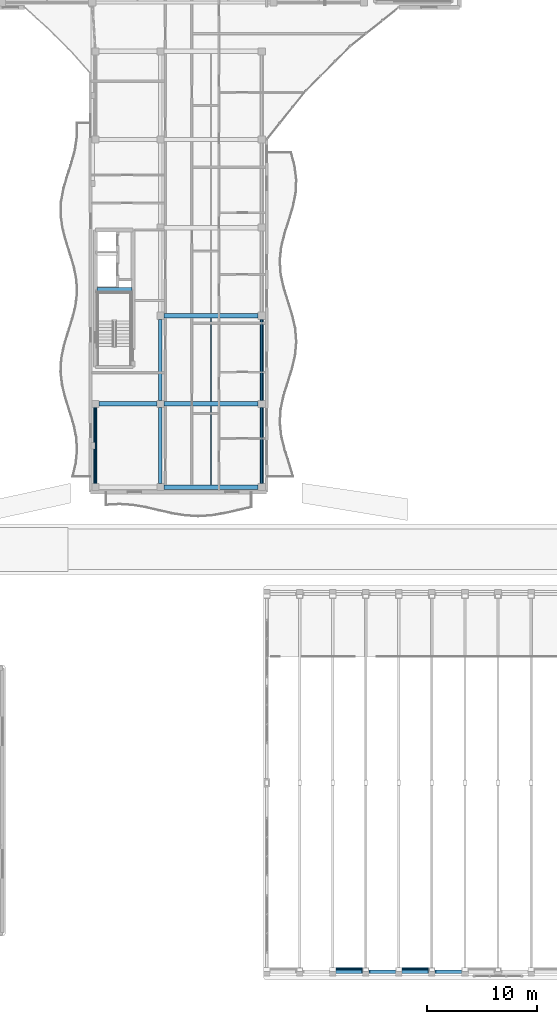
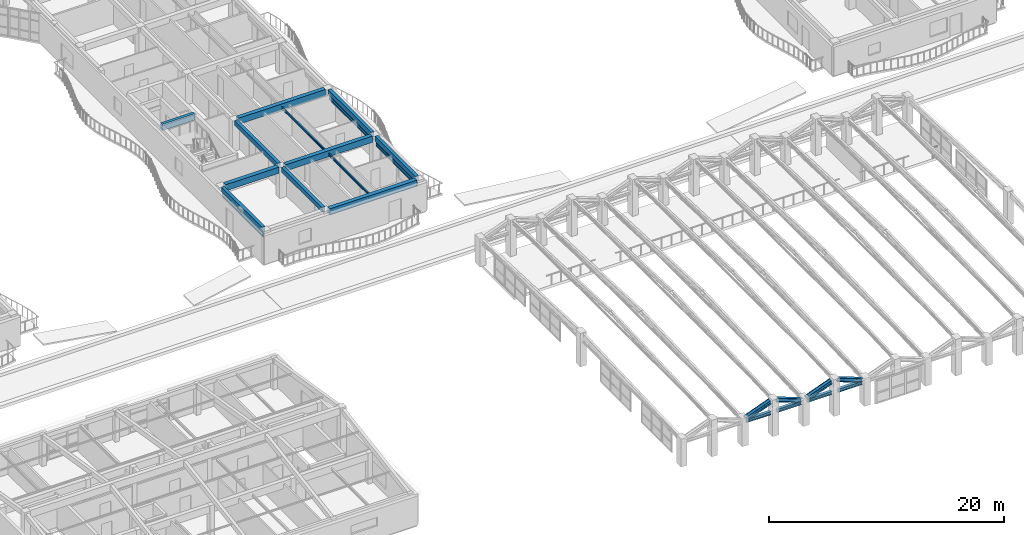
# One storey, part 22 of 128: 20 beams, 8 members.
"""IFC4 building model written with IfcOpenShell, lengths in metres."""

import ifcopenshell
import ifcopenshell.guid

model = None  # the IFC model being written
_history = None  # IfcOwnerHistory: only IFC2X3 demands one
_inside = {}  # id of a spatial element -> (the spatial element, [elements in it])
_under = {}  # id of a project, library or spatial element -> (it, [spatial elements below it])
_declared = {}  # id of a project -> (the project, [libraries it declares])
_typed = {}  # id of a type object -> (the type object, [elements of that type])
_made_of = {}  # id of a material, layer set ... -> (it, [elements and type objects made of it])


def new_model(schema):
    """Start an empty IFC model of exactly this schema.

    Asked for "IFC4X3", IfcOpenShell would pick the latest addendum, in which some entities
    have other attributes; the version numbers below select the first issue.
    IFC2X3 requires an IfcOwnerHistory on every rooted entity: one is made here for all.
    """
    global model, _history
    if schema == "IFC4X3":
        model = ifcopenshell.file(schema_version=(4, 3, 0, 0))
    else:
        model = ifcopenshell.file(schema=schema)
    _inside.clear()
    _under.clear()
    _declared.clear()
    _typed.clear()
    _made_of.clear()
    _history = None
    if model.schema == "IFC2X3":
        org = make("IfcOrganization", Name="unknown")
        user = make(
            "IfcPersonAndOrganization",
            ThePerson=make("IfcPerson", FamilyName="unknown"),
            TheOrganization=org,
        )
        app = make(
            "IfcApplication",
            ApplicationDeveloper=org,
            Version="unknown",
            ApplicationFullName="unknown",
            ApplicationIdentifier="unknown",
        )
        _history = make(
            "IfcOwnerHistory",
            OwningUser=user,
            OwningApplication=app,
            ChangeAction="ADDED",
            CreationDate=0,
        )
    return model


def make(cls, **values):
    """One entity of the class cls with the attributes given. An attribute that is None is left unset."""
    return model.create_entity(
        cls, **{name: value for name, value in values.items() if value is not None}
    )


def rooted(cls, **values):
    """An entity with a GlobalId (a new one), such as an element, a storey or a relation."""
    return make(cls, GlobalId=ifcopenshell.guid.new(), OwnerHistory=_history, **values)


def si_unit(unit_type, name, prefix=None):
    """IfcSIUnit, for example si_unit("LENGTHUNIT", "METRE", prefix="MILLI")."""
    return make("IfcSIUnit", UnitType=unit_type, Prefix=prefix, Name=name)


def assignment(units):
    """IfcUnitAssignment: the units of a project."""
    return None if units is None else make("IfcUnitAssignment", Units=units)


def point(xyz):
    """IfcCartesianPoint."""
    return None if xyz is None else make("IfcCartesianPoint", Coordinates=xyz)


def direction(xyz):
    """IfcDirection."""
    return None if xyz is None else make("IfcDirection", DirectionRatios=xyz)


def frame(location, z_axis=None, x_axis=None):
    """IfcAxis2Placement3D, a coordinate frame: its origin and axes. An axis left out is left unset."""
    return make(
        "IfcAxis2Placement3D",
        Location=point(location),
        Axis=direction(z_axis),
        RefDirection=direction(x_axis),
    )


def frame_2d(location, x_axis=None):
    """IfcAxis2Placement2D, a coordinate frame in the plane: its origin and x axis."""
    return make(
        "IfcAxis2Placement2D", Location=point(location), RefDirection=direction(x_axis)
    )


def origin():
    """The frame at (0, 0, 0) with its axes left unset."""
    return frame((0.0, 0.0, 0.0))


def origin_2d():
    """The frame at (0, 0) in the plane with its x axis left unset."""
    return frame_2d((0.0, 0.0))


def place(relative_to, where):
    """IfcLocalPlacement: puts the frame where relative to a parent placement (None: the world)."""
    return make(
        "IfcLocalPlacement", PlacementRelTo=relative_to, RelativePlacement=where
    )


def context(
    kind, dimensions, precision=None, world=None, true_north=None, identifier=None
):
    """IfcGeometricRepresentationContext, for example the 3D "Model" context."""
    return make(
        "IfcGeometricRepresentationContext",
        ContextIdentifier=identifier,
        ContextType=kind,
        CoordinateSpaceDimension=dimensions,
        Precision=precision,
        WorldCoordinateSystem=world,
        TrueNorth=true_north,
    )


def subcontext(parent, identifier, kind, view, scale=None):
    """IfcGeometricRepresentationSubContext, for example "Body" below "Model"."""
    return make(
        "IfcGeometricRepresentationSubContext",
        ContextIdentifier=identifier,
        ContextType=kind,
        ParentContext=parent,
        TargetScale=scale,
        TargetView=view,
    )


def project(units=None, contexts=None):
    """IfcProject with its units and contexts."""
    return rooted(
        "IfcProject",
        Name="project",
        RepresentationContexts=contexts,
        UnitsInContext=assignment(units),
    )


def spatial(cls, under=None, at=None, **own):
    """A site, building, storey or space (cls), placed at a placement, below another one or the project."""
    s = rooted(cls, ObjectPlacement=at, **own)
    if under is not None:
        _under.setdefault(under.id(), (under, []))[1].append(s)
    return s


def profile(cls, at=None, kind="AREA", **sizes):
    """A parametric profile (cls). Its sizes go by their IFC names, for example OverallWidth=200.0."""
    return make(cls, ProfileType=kind, Position=at, **sizes)


def rectangle(**sizes):
    """IfcRectangleProfileDef."""
    return profile("IfcRectangleProfileDef", **sizes)


def hollow_rectangle(**sizes):
    """IfcRectangleHollowProfileDef."""
    return profile("IfcRectangleHollowProfileDef", **sizes)


def hollow_circle(**sizes):
    """IfcCircleHollowProfileDef."""
    return profile("IfcCircleHollowProfileDef", **sizes)


def i_section(**sizes):
    """IfcIShapeProfileDef."""
    return profile("IfcIShapeProfileDef", **sizes)


def extrude(swept, where, along, depth):
    """IfcExtrudedAreaSolid: the profile swept, set in the frame where, extruded along a direction by depth."""
    return make(
        "IfcExtrudedAreaSolid",
        SweptArea=swept,
        Position=where,
        ExtrudedDirection=direction(along),
        Depth=depth,
    )


def shape(context_of_items, identifier, shape_type, items):
    """IfcShapeRepresentation: the items that make up one representation, for example the "Body"."""
    return make(
        "IfcShapeRepresentation",
        ContextOfItems=context_of_items,
        RepresentationIdentifier=identifier,
        RepresentationType=shape_type,
        Items=items,
    )


def material(Name=None, Category=None):
    """IfcMaterial."""
    return make("IfcMaterial", Name=Name, Category=Category)


def material_profile(
    of_material, cross_section, Name=None, Category=None, Priority=None
):
    """IfcMaterialProfile: a cross section and its material."""
    return make(
        "IfcMaterialProfile",
        Name=Name,
        Material=of_material,
        Profile=cross_section,
        Priority=Priority,
        Category=Category,
    )


def profile_set(profiles, Name=None, composite=None):
    """IfcMaterialProfileSet."""
    return make(
        "IfcMaterialProfileSet",
        Name=Name,
        MaterialProfiles=profiles,
        CompositeProfile=composite,
    )


def made_of(thing, what):
    """Note that an element or type object is made of a material, layer set ...; save() writes the relation."""
    if what is not None:
        _made_of.setdefault(what.id(), (what, []))[1].append(thing)
    return thing


def type_object(cls, material=None, **own):
    """A type object (cls), such as IfcWallType, which elements share."""
    return made_of(rooted(cls, **own), material)


def element(
    cls,
    number,
    at=None,
    inside=None,
    cuts=None,
    type_object=None,
    material=None,
    context=None,
    identifier="Body",
    shape_type=None,
    held_by="IfcProductDefinitionShape",
    body=None,
    shapes=None,
    **own,
):
    """One element of the class cls, such as IfcWall. Its Tag is "e" and its number.

    at: its placement. inside: the storey or other place that contains it. cuts: it is an
    opening in that element (IfcRelVoidsElement). A single representation is given by context,
    identifier, shape_type and body (its items); several are given by shapes. held_by: the class
    of the entity that holds the representations. save() writes the other relations.
    """
    e = rooted(cls, Tag="e%d" % number, ObjectPlacement=at, **own)
    if body is not None:
        shapes = [shape(context, identifier, shape_type, body)]
    if shapes is not None:
        e.Representation = make(held_by, Representations=shapes)
    if inside is not None:
        _inside.setdefault(inside.id(), (inside, []))[1].append(e)
    if cuts is not None:
        rooted(
            "IfcRelVoidsElement", RelatingBuildingElement=cuts, RelatedOpeningElement=e
        )
    if type_object is not None:
        _typed.setdefault(type_object.id(), (type_object, []))[1].append(e)
    return made_of(e, material)


def aggregate(whole, parts):
    """IfcRelAggregates: a whole, such as a stair, and the parts it consists of."""
    return rooted("IfcRelAggregates", RelatingObject=whole, RelatedObjects=parts)


def save(model, path):
    """Write the relations noted so far, then the file.

    IfcRelAggregates (storeys below a building ...), IfcRelContainedInSpatialStructure (elements
    in a storey), IfcRelDefinesByType, IfcRelAssociatesMaterial and IfcRelDeclares: one each for
    every whole, place, type object, material and project.
    """
    for whole, parts in _under.values():
        aggregate(whole, parts)
    for where, things in _inside.values():
        rooted(
            "IfcRelContainedInSpatialStructure",
            RelatedElements=things,
            RelatingStructure=where,
        )
    for kind, things in _typed.values():
        rooted("IfcRelDefinesByType", RelatedObjects=things, RelatingType=kind)
    for what, things in _made_of.values():
        rooted("IfcRelAssociatesMaterial", RelatedObjects=things, RelatingMaterial=what)
    for by, libraries in _declared.values():
        rooted("IfcRelDeclares", RelatingContext=by, RelatedDefinitions=libraries)
    model.write(path)


model = new_model("IFC4")

# Units and contexts
model_context = context("Model", 3, precision=1e-05, world=origin(), true_north=direction((0.0, 1.0)))
body_context = subcontext(model_context, "Body", "Model", "MODEL_VIEW")
ifc_project = project(units=[si_unit("LENGTHUNIT", "METRE"), si_unit("AREAUNIT", "SQUARE_METRE"), si_unit("VOLUMEUNIT", "CUBIC_METRE"), si_unit("PLANEANGLEUNIT", "RADIAN"), si_unit("MASSUNIT", "GRAM", prefix="KILO")], contexts=[model_context])

# Site, building, storey
site_placement = place(None, origin())
site = spatial("IfcSite", under=ifc_project, at=site_placement, CompositionType="ELEMENT")
building_placement = place(site_placement, origin())
building = spatial("IfcBuilding", under=site, at=building_placement, Name="Keldmere Railside Commons", CompositionType="ELEMENT")
storey_placement = place(building_placement, frame((0.0, 0.0, 4.159912109375)))
storey = spatial("IfcBuildingStorey", under=building, at=storey_placement, Name="L01", CompositionType="ELEMENT", Elevation=4.159912109375)

# Members
ifc_material_1 = material(Name="Steel F-36 (S355)", Category="steel")
ifc_material_profile_1 = material_profile(ifc_material_1, hollow_rectangle(XDim=0.14990234375, YDim=0.25, WallThickness=0.010009765625, at=origin_2d()), Name="RHS-250x150x10")
ifc_profile_set_1 = profile_set([ifc_material_profile_1], Name="Steel F-36 (S355)")
member_type_1 = type_object("IfcMemberType", Name="Balcony Continuous Planted Trough RHS250x150", PredefinedType="CHORD", material=ifc_profile_set_1)
for number, where, z_axis, x_axis, name in (
    (1, (48.449951171875, 56.77490234375, 2.4150390625), (0.0, 1.0, 0.0), (-1.0, 0.0, 0.0), "PLT-1 MEM-BPLT-0133"),
    (2, (63.550048828125, 56.77490234375, 2.4150390625), (0.0, 1.0, 0.0), (-1.0, 0.0, 0.0), "PLT-1 MEM-BPLT-0143"),
):
    element("IfcMember", number, at=place(storey_placement, frame(where, z_axis=z_axis, x_axis=x_axis)), inside=storey, type_object=member_type_1, Name=name, PredefinedType="CHORD", context=body_context, shape_type="SweptSolid", body=[
        extrude(hollow_rectangle(XDim=0.14990234375, YDim=0.25, WallThickness=0.010009765625, at=origin_2d()), origin(), (0.0, 0.0, 1.0), 6.900146484375),
    ])
member_1_placement = place(storey_placement, frame((63.550048828125, 64.324951171875, 2.4150390625), z_axis=(0.0, 1.0, 0.0), x_axis=(-1.0, 0.0, 0.0)))
element("IfcMember", 3, at=member_1_placement, inside=storey, type_object=member_type_1, Name="PLT-1 MEM-BPLT-0145", PredefinedType="CHORD", context=body_context, shape_type="SweptSolid", body=[
    extrude(hollow_rectangle(XDim=0.14990234375, YDim=0.25, WallThickness=0.010009765625, at=origin_2d()), origin(), (0.0, 0.0, 1.0), 7.35009765625),
])

# Beams
ifc_material_2 = material(Name="Concrete H-35 (C35/45)", Category="concrete")
ifc_material_profile_2 = material_profile(ifc_material_2, rectangle(XDim=0.300048828125, YDim=0.64990234375, at=origin_2d()), Name="RC-300x650")
ifc_profile_set_2 = profile_set([ifc_material_profile_2], Name="Concrete H-35 (C35/45)")
beam_type_1 = type_object("IfcBeamType", Name="Core Coupling RC Beam 300x650", PredefinedType="BEAM", material=ifc_profile_set_2)
beam_1_placement = place(storey_placement, frame((48.590087890625, 74.39990234375, 2.875), z_axis=(1.0, 0.0, 0.0), x_axis=(0.0, 1.0, 0.0)))
element("IfcBeam", 4, at=beam_1_placement, inside=storey, type_object=beam_type_1, Name="CB-1 BM-L01-2549", PredefinedType="BEAM", context=body_context, shape_type="SweptSolid", body=[
    extrude(rectangle(XDim=0.300048828125, YDim=0.64990234375, at=origin_2d()), origin(), (0.0, 0.0, 1.0), 3.18994140625),
])
ifc_material_profile_3 = material_profile(ifc_material_1, i_section(OverallWidth=0.300048828125, OverallDepth=0.320068359375, WebThickness=0.011474609375, FlangeThickness=0.0205078125, at=origin_2d()), Name="HEB-320")
ifc_profile_set_3 = profile_set([ifc_material_profile_3], Name="Steel F-36 (S355)")
beam_type_2 = type_object("IfcBeamType", Name="Folded-Plate Eave Edge Beam HEB320", PredefinedType="BEAM", material=ifc_profile_set_3)
for number, where, z_axis, x_axis, name in (
    (5, (70.300048828125, 12.449951171875, 2.300048828125), (1.0, 0.0, 0.0), (0.0, 1.0, 0.0), "FPE-1 BM-L01-2583"),
    (6, (73.300048828125, 12.449951171875, 2.300048828125), (1.0, 0.0, 0.0), (0.0, 1.0, 0.0), "FPE-1 BM-L01-2584"),
    (7, (76.300048828125, 12.449951171875, 2.300048828125), (1.0, 0.0, 0.0), (0.0, 1.0, 0.0), "FPE-1 BM-L01-2595"),
    (8, (79.300048828125, 12.449951171875, 2.300048828125), (1.0, 0.0, 0.0), (0.0, 1.0, 0.0), "FPE-1 BM-L01-2596"),
):
    element("IfcBeam", number, at=place(storey_placement, frame(where, z_axis=z_axis, x_axis=x_axis)), inside=storey, type_object=beam_type_2, Name=name, PredefinedType="BEAM", context=body_context, shape_type="SweptSolid", body=[
        extrude(i_section(OverallWidth=0.300048828125, OverallDepth=0.320068359375, WebThickness=0.011474609375, FlangeThickness=0.0205078125, at=origin_2d()), origin(), (0.0, 0.0, 1.0), 2.39990234375),
    ])
ifc_material_profile_4 = material_profile(ifc_material_1, i_section(OverallWidth=0.300048828125, OverallDepth=0.39990234375, WebThickness=0.013427734375, FlangeThickness=0.02392578125, at=origin_2d()), Name="HEB-400")
ifc_profile_set_4 = profile_set([ifc_material_profile_4], Name="Steel F-36 (S355)")
beam_type_3 = type_object("IfcBeamType", Name="Folded-Plate End Diaphragm Girder HEB400", PredefinedType="BEAM", material=ifc_profile_set_4)
for number, where, z_axis, x_axis, name in (
    (9, (70.300048828125, 12.449951171875, 2.530029296875), (0.935017102345, 0.0, 0.354602620299), (0.0, 1.0, 0.0), "FPD-1 BM-L01-2589"),
    (10, (73.300048828125, 12.449951171875, 3.440185546875), (0.935017102345, 0.0, -0.354602620299), (0.0, 1.0, 0.0), "FPD-1 BM-L01-2590"),
    (11, (76.300048828125, 12.449951171875, 2.530029296875), (0.935017102345, 0.0, 0.354602620299), (0.0, 1.0, 0.0), "FPD-1 BM-L01-2601"),
    (12, (79.300048828125, 12.449951171875, 3.440185546875), (0.935017102345, 0.0, -0.354602620299), (0.0, 1.0, 0.0), "FPD-1 BM-L01-2602"),
):
    element("IfcBeam", number, at=place(storey_placement, frame(where, z_axis=z_axis, x_axis=x_axis)), inside=storey, type_object=beam_type_3, Name=name, PredefinedType="BEAM", context=body_context, shape_type="SweptSolid", body=[
        extrude(i_section(OverallWidth=0.300048828125, OverallDepth=0.39990234375, WebThickness=0.013427734375, FlangeThickness=0.02392578125, at=origin_2d()), origin(), (0.0, 0.0, 1.0), 2.566650390625),
    ])

# Members
ifc_material_profile_5 = material_profile(ifc_material_1, hollow_circle(Radius=0.109619140625, WallThickness=0.008056640625, at=origin_2d()), Name="CHS-219x8")
ifc_profile_set_5 = profile_set([ifc_material_profile_5], Name="Steel F-36 (S355)")
member_type_2 = type_object("IfcMemberType", Name="Hall Roof Lateral Diagonal Brace CHS219", PredefinedType="BRACE", material=ifc_profile_set_5)
for number, where, z_axis, x_axis, name in (
    (13, (70.260009765625, 12.719970703125, 2.530029296875), (0.9363064477, 0.0, 0.351184048606), (0.0, 1.0, 0.0), "BR-1 MEM-BR-006"),
    (14, (76.260009765625, 12.719970703125, 2.530029296875), (0.9363064477, 0.0, 0.351184048606), (0.0, 1.0, 0.0), "BR-1 MEM-BR-009"),
):
    element("IfcMember", number, at=place(storey_placement, frame(where, z_axis=z_axis, x_axis=x_axis)), inside=storey, type_object=member_type_2, Name=name, PredefinedType="BRACE", context=body_context, shape_type="SweptSolid", body=[
        extrude(hollow_circle(Radius=0.109619140625, WallThickness=0.008056640625, at=origin_2d()), origin(), (0.0, 0.0, 1.0), 2.648681640625),
    ])

# Beams
ifc_material_profile_6 = material_profile(ifc_material_1, i_section(OverallWidth=0.1201171875, OverallDepth=0.239990234375, WebThickness=0.006103515625, FlangeThickness=0.009765625, at=origin_2d()), Name="IPE-240")
ifc_profile_set_6 = profile_set([ifc_material_profile_6], Name="Steel F-36 (S355)")
beam_type_4 = type_object("IfcBeamType", Name="Nursery & Mezzanine Steel Joist IPE240", PredefinedType="JOIST", material=ifc_profile_set_6)
beam_2_placement = place(storey_placement, frame((58.949951171875, 56.64990234375, 2.81005859375), z_axis=(0.0, 1.0, 0.0), x_axis=(-1.0, 0.0, 0.0)))
element("IfcBeam", 15, at=beam_2_placement, inside=storey, type_object=beam_type_4, Name="JST-2 BM-L01-1001", PredefinedType="JOIST", context=body_context, shape_type="SweptSolid", body=[
    extrude(i_section(OverallWidth=0.1201171875, OverallDepth=0.239990234375, WebThickness=0.006103515625, FlangeThickness=0.009765625, at=origin_2d()), origin(), (0.0, 0.0, 1.0), 7.150146484375),
])
beam_3_placement = place(storey_placement, frame((58.949951171875, 64.199951171875, 2.81005859375), z_axis=(0.0, 1.0, 0.0), x_axis=(-1.0, 0.0, 0.0)))
element("IfcBeam", 16, at=beam_3_placement, inside=storey, type_object=beam_type_4, Name="JST-2 BM-L01-1005", PredefinedType="JOIST", context=body_context, shape_type="SweptSolid", body=[
    extrude(i_section(OverallWidth=0.1201171875, OverallDepth=0.239990234375, WebThickness=0.006103515625, FlangeThickness=0.009765625, at=origin_2d()), origin(), (0.0, 0.0, 1.0), 7.60009765625),
])
ifc_material_3 = material(Name="Concrete H-30 (C30/37)", Category="concrete")
ifc_material_profile_7 = material_profile(ifc_material_3, rectangle(XDim=0.39990234375, YDim=0.64990234375, at=origin_2d()), Name="RC-400x650")
ifc_profile_set_7 = profile_set([ifc_material_profile_7], Name="Concrete H-30 (C30/37)")
beam_type_5 = type_object("IfcBeamType", Name="Residential Spine RC Girder 400x650", PredefinedType="BEAM", material=ifc_profile_set_7)
beam_4_placement = place(storey_placement, frame((54.675048828125, 56.449951171875, 2.875), z_axis=(1.0, 0.0, 0.0), x_axis=(0.0, 1.0, 0.0)))
element("IfcBeam", 17, at=beam_4_placement, inside=storey, type_object=beam_type_5, Name="BG-3 BM-L01-0782", PredefinedType="BEAM", context=body_context, shape_type="SweptSolid", body=[
    extrude(rectangle(XDim=0.39990234375, YDim=0.64990234375, at=origin_2d()), origin(), (0.0, 0.0, 1.0), 8.550048828125),
])
beam_5_placement = place(storey_placement, frame((48.77490234375, 64.0, 2.875), z_axis=(1.0, 0.0, 0.0), x_axis=(0.0, 1.0, 0.0)))
element("IfcBeam", 18, at=beam_5_placement, inside=storey, type_object=beam_type_5, Name="BG-3 BM-L01-0789", PredefinedType="BEAM", context=body_context, shape_type="SweptSolid", body=[
    extrude(rectangle(XDim=0.39990234375, YDim=0.64990234375, at=origin_2d()), origin(), (0.0, 0.0, 1.0), 5.25),
])
for number, where, z_axis, x_axis, name in (
    (19, (54.675048828125, 64.0, 2.875), (1.0, 0.0, 0.0), (0.0, 1.0, 0.0), "BG-3 BM-L01-0790"),
    (20, (54.675048828125, 72.0, 2.875), (1.0, 0.0, 0.0), (0.0, 1.0, 0.0), "BG-3 BM-L01-0796"),
):
    element("IfcBeam", number, at=place(storey_placement, frame(where, z_axis=z_axis, x_axis=x_axis)), inside=storey, type_object=beam_type_5, Name=name, PredefinedType="BEAM", context=body_context, shape_type="SweptSolid", body=[
        extrude(rectangle(XDim=0.39990234375, YDim=0.64990234375, at=origin_2d()), origin(), (0.0, 0.0, 1.0), 8.550048828125),
    ])
ifc_material_profile_8 = material_profile(ifc_material_3, rectangle(XDim=0.300048828125, YDim=0.5, at=origin_2d()), Name="RC-300x500")
ifc_profile_set_8 = profile_set([ifc_material_profile_8], Name="Concrete H-30 (C30/37)")
beam_type_6 = type_object("IfcBeamType", Name="Secondary Frame RC Beam 300x500", PredefinedType="BEAM", material=ifc_profile_set_8)
for number, where, z_axis, x_axis, name in (
    (21, (48.449951171875, 56.77490234375, 2.9501953125), (0.0, 1.0, 0.0), (-1.0, 0.0, 0.0), "BG-5 BM-L01-0893"),
    (22, (54.35009765625, 56.77490234375, 2.9501953125), (0.0, 1.0, 0.0), (-1.0, 0.0, 0.0), "BG-5 BM-L01-0895"),
):
    element("IfcBeam", number, at=place(storey_placement, frame(where, z_axis=z_axis, x_axis=x_axis)), inside=storey, type_object=beam_type_6, Name=name, PredefinedType="BEAM", context=body_context, shape_type="SweptSolid", body=[
        extrude(rectangle(XDim=0.300048828125, YDim=0.5, at=origin_2d()), origin(), (0.0, 0.0, 1.0), 6.900146484375),
    ])
beam_6_placement = place(storey_placement, frame((54.35009765625, 64.324951171875, 2.9501953125), z_axis=(0.0, 1.0, 0.0), x_axis=(-1.0, 0.0, 0.0)))
element("IfcBeam", 23, at=beam_6_placement, inside=storey, type_object=beam_type_6, Name="BG-5 BM-L01-0896", PredefinedType="BEAM", context=body_context, shape_type="SweptSolid", body=[
    extrude(rectangle(XDim=0.300048828125, YDim=0.5, at=origin_2d()), origin(), (0.0, 0.0, 1.0), 7.35009765625),
])
beam_7_placement = place(storey_placement, frame((63.550048828125, 56.77490234375, 2.9501953125), z_axis=(0.0, 1.0, 0.0), x_axis=(-1.0, 0.0, 0.0)))
element("IfcBeam", 24, at=beam_7_placement, inside=storey, type_object=beam_type_6, Name="BG-5 BM-L01-0901", PredefinedType="BEAM", context=body_context, shape_type="SweptSolid", body=[
    extrude(rectangle(XDim=0.300048828125, YDim=0.5, at=origin_2d()), origin(), (0.0, 0.0, 1.0), 6.900146484375),
])
beam_8_placement = place(storey_placement, frame((63.550048828125, 64.324951171875, 2.9501953125), z_axis=(0.0, 1.0, 0.0), x_axis=(-1.0, 0.0, 0.0)))
element("IfcBeam", 25, at=beam_8_placement, inside=storey, type_object=beam_type_6, Name="BG-5 BM-L01-0902", PredefinedType="BEAM", context=body_context, shape_type="SweptSolid", body=[
    extrude(rectangle(XDim=0.300048828125, YDim=0.5, at=origin_2d()), origin(), (0.0, 0.0, 1.0), 7.35009765625),
])

# Members
ifc_material_profile_9 = material_profile(ifc_material_1, hollow_rectangle(XDim=0.10009765625, YDim=0.159912109375, WallThickness=0.008056640625, at=origin_2d()), Name="RHS-160x100x8")
ifc_profile_set_9 = profile_set([ifc_material_profile_9], Name="Steel F-36 (S355)")
member_type_3 = type_object("IfcMemberType", Name="Solar Brise-Soleil Louvre Fin RHS160x100", PredefinedType="STRUT", material=ifc_profile_set_9)
for number, where, z_axis, x_axis, name in (
    (26, (48.449951171875, 56.77490234375, 2.2001953125), (0.0, 1.0, 0.0), (-1.0, 0.0, 0.0), "BSF-1 MEM-BSF-0134"),
    (27, (63.550048828125, 56.77490234375, 2.2001953125), (0.0, 1.0, 0.0), (-1.0, 0.0, 0.0), "BSF-1 MEM-BSF-0144"),
):
    element("IfcMember", number, at=place(storey_placement, frame(where, z_axis=z_axis, x_axis=x_axis)), inside=storey, type_object=member_type_3, Name=name, PredefinedType="STRUT", context=body_context, shape_type="SweptSolid", body=[
        extrude(hollow_rectangle(XDim=0.10009765625, YDim=0.159912109375, WallThickness=0.008056640625, at=origin_2d()), origin(), (0.0, 0.0, 1.0), 6.900146484375),
    ])
member_2_placement = place(storey_placement, frame((63.550048828125, 64.324951171875, 2.2001953125), z_axis=(0.0, 1.0, 0.0), x_axis=(-1.0, 0.0, 0.0)))
element("IfcMember", 28, at=member_2_placement, inside=storey, type_object=member_type_3, Name="BSF-1 MEM-BSF-0146", PredefinedType="STRUT", context=body_context, shape_type="SweptSolid", body=[
    extrude(hollow_rectangle(XDim=0.10009765625, YDim=0.159912109375, WallThickness=0.008056640625, at=origin_2d()), origin(), (0.0, 0.0, 1.0), 7.35009765625),
])

save(model, "model.ifc")
